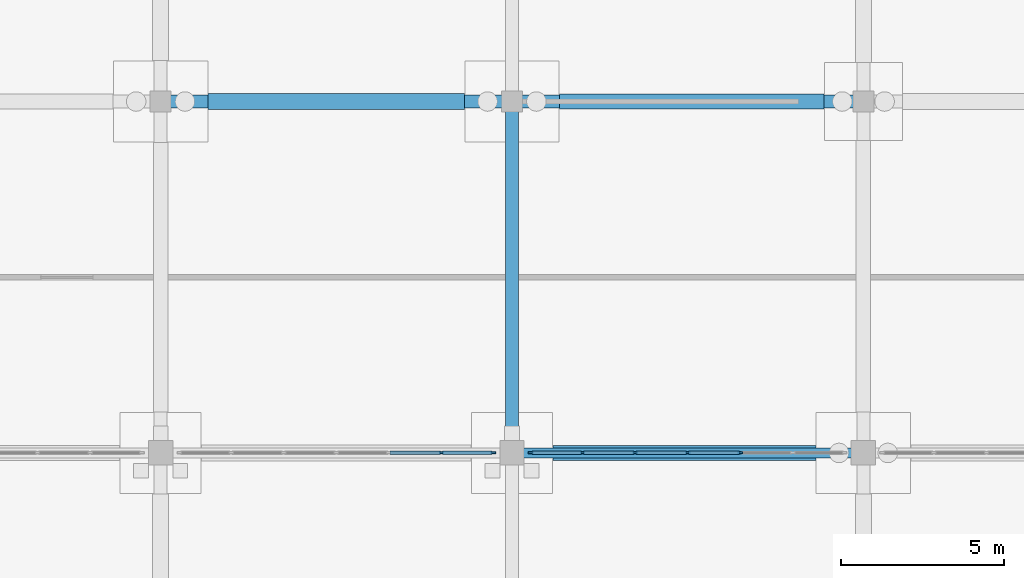
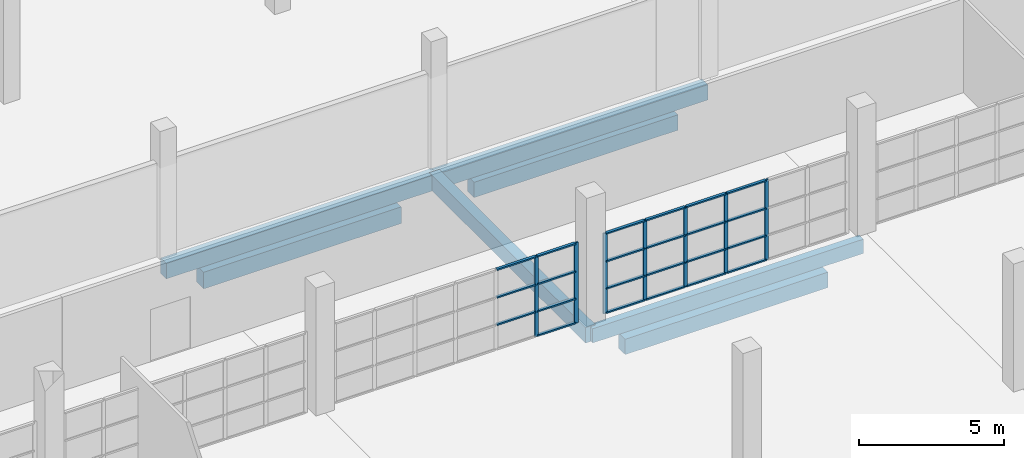
# One storey, part 57 of 138: 30 members, 7 beams, 2 elements without a shape of their own.
"""IFC4 building model written with IfcOpenShell, lengths in metres."""

from ifc_helpers import new_model, si_unit, direction, frame, origin, origin_2d, place, context, subcontext, project, spatial, rectangle, extrude, material, material_profile, profile_set, type_object, element, aggregate, save


model = new_model("IFC4")

# Units and contexts
model_context = context("Model", 3, precision=1e-05, world=origin(), true_north=direction((0.0, 1.0)))
body_context = subcontext(model_context, "Body", "Model", "MODEL_VIEW")
ifc_project = project(units=[si_unit("LENGTHUNIT", "METRE"), si_unit("AREAUNIT", "SQUARE_METRE"), si_unit("VOLUMEUNIT", "CUBIC_METRE"), si_unit("PLANEANGLEUNIT", "RADIAN"), si_unit("MASSUNIT", "GRAM", prefix="KILO")], contexts=[model_context])

# Site, building, storey
site_placement = place(None, origin())
site = spatial("IfcSite", under=ifc_project, at=site_placement, CompositionType="ELEMENT")
building_placement = place(site_placement, origin())
building = spatial("IfcBuilding", under=site, at=building_placement, Name="Zwinboog Wholesale Market", CompositionType="ELEMENT")
storey_placement = place(building_placement, origin())
storey = spatial("IfcBuildingStorey", under=building, at=storey_placement, Name="L00", CompositionType="ELEMENT", Elevation=0.0)

# Beams
ifc_material_1 = material(Name="Precast concrete C45/55", Category="concrete")
ifc_material_profile_1 = material_profile(ifc_material_1, rectangle(XDim=0.39990234375, YDim=0.64990234375, at=origin_2d()), Name="PC 400x650")
ifc_profile_set_1 = profile_set([ifc_material_profile_1], Name="Precast concrete C45/55")
beam_type_1 = type_object("IfcBeamType", Name="BT-05", PredefinedType="BEAM", material=ifc_profile_set_1)
for number, where, z_axis, x_axis, name in (
    (1, (108.0, 108.0, -0.675048828125), (1.0, 0.0, 0.0), (0.0, 1.0, 0.0), "BG-05 (BMG-L00-1080-1080-0161)"),
    (2, (118.800048828125, 108.0, -0.68994140625), (1.0, 0.0, 0.0), (0.0, 1.0, 0.0), "BG-05 (BMG-L00-1188-1080-0162)"),
    (3, (118.800048828125, 97.199951171875, -0.6669921875), (0.0, 1.0, 0.0), (-1.0, 0.0, 0.0), "BG-05 (BMG-L00-1188-0972-0326)"),
):
    element("IfcBeam", number, at=place(storey_placement, frame(where, z_axis=z_axis, x_axis=x_axis)), inside=storey, type_object=beam_type_1, Name=name, PredefinedType="BEAM", context=body_context, shape_type="SweptSolid", body=[
        extrude(rectangle(XDim=0.39990234375, YDim=0.64990234375, at=origin_2d()), origin(), (0.0, 0.0, 1.0), 10.800048828125),
    ])
ifc_material_profile_2 = material_profile(ifc_material_1, rectangle(XDim=0.300048828125, YDim=0.60009765625, at=origin_2d()), Name="PC 300x600")
ifc_profile_set_2 = profile_set([ifc_material_profile_2], Name="Precast concrete C45/55")
beam_type_2 = type_object("IfcBeamType", Name="BT-09", PredefinedType="SPANDREL", material=ifc_profile_set_2)
beam_1_placement = place(storey_placement, frame((118.800048828125, 97.199951171875, -0.6650390625), z_axis=(1.0, 0.0, 0.0), x_axis=(0.0, 1.0, 0.0)))
element("IfcBeam", 4, at=beam_1_placement, inside=storey, type_object=beam_type_2, Name="SP-02 (BMG-L00-1188-0972-0142)", PredefinedType="SPANDREL", context=body_context, shape_type="SweptSolid", body=[
    extrude(rectangle(XDim=0.300048828125, YDim=0.60009765625, at=origin_2d()), origin(), (0.0, 0.0, 1.0), 10.800048828125),
])
ifc_material_2 = material(Name="Concrete C35/45", Category="concrete")
ifc_material_profile_3 = material_profile(ifc_material_2, rectangle(XDim=0.5, YDim=0.699951171875, at=origin_2d()), Name="RC 500x700")
ifc_profile_set_3 = profile_set([ifc_material_profile_3], Name="Concrete C35/45")
beam_type_3 = type_object("IfcBeamType", Name="BT-12", PredefinedType="USERDEFINED", material=ifc_profile_set_3)
beam_2_placement = place(storey_placement, frame((109.455078125, 108.0, -1.550048828125), z_axis=(1.0, 0.0, 0.0), x_axis=(0.0, 1.0, 0.0)))
element("IfcBeam", 5, at=beam_2_placement, inside=storey, type_object=beam_type_3, Name="GB-01 (BM-GB-0097)", ObjectType="GROUND_BEAM", PredefinedType="USERDEFINED", context=body_context, shape_type="SweptSolid", body=[
    extrude(rectangle(XDim=0.5, YDim=0.699951171875, at=origin_2d()), origin(), (0.0, 0.0, 1.0), 7.889892578125),
])
ifc_material_profile_4 = material_profile(ifc_material_2, rectangle(XDim=0.449951171875, YDim=0.64990234375, at=origin_2d()), Name="RC 450x650")
ifc_profile_set_4 = profile_set([ifc_material_profile_4], Name="Concrete C35/45")
beam_type_4 = type_object("IfcBeamType", Name="BT-13", PredefinedType="USERDEFINED", material=ifc_profile_set_4)
beam_3_placement = place(storey_placement, frame((120.054931640625, 97.199951171875, -1.52490234375), z_axis=(1.0, 0.0, 0.0), x_axis=(0.0, 1.0, 0.0)))
element("IfcBeam", 6, at=beam_3_placement, inside=storey, type_object=beam_type_4, Name="GB-02 (BM-GB-0078)", ObjectType="GROUND_BEAM", PredefinedType="USERDEFINED", context=body_context, shape_type="SweptSolid", body=[
    extrude(rectangle(XDim=0.449951171875, YDim=0.64990234375, at=origin_2d()), origin(), (0.0, 0.0, 1.0), 8.090087890625),
])
beam_4_placement = place(storey_placement, frame((120.2548828125, 108.0, -1.52490234375), z_axis=(1.0, 0.0, 0.0), x_axis=(0.0, 1.0, 0.0)))
element("IfcBeam", 7, at=beam_4_placement, inside=storey, type_object=beam_type_4, Name="GB-02 (BM-GB-0098)", ObjectType="GROUND_BEAM", PredefinedType="USERDEFINED", context=body_context, shape_type="SweptSolid", body=[
    extrude(rectangle(XDim=0.449951171875, YDim=0.64990234375, at=origin_2d()), origin(), (0.0, 0.0, 1.0), 8.14013671875),
])

# Curtain wall, members
ifc_material_3 = material(Name="Aluminium thermally broken curtain wall", Category="aluminium")
curtain_wall_type = type_object("IfcCurtainWallType", Name="CWT-INT-STALL", PredefinedType="USERDEFINED", material=ifc_material_3)
curtain_wall_1_placement = place(storey_placement, origin())
curtain_wall_1 = element("IfcCurtainWall", 8, at=curtain_wall_1_placement, inside=storey, type_object=curtain_wall_type, Name="CW-07 (CW-STL-203)", ObjectType="STOREFRONT_GLAZING", PredefinedType="USERDEFINED")
ifc_material_4 = material(Name="Aluminium EN AW-6060", Category="aluminium")
ifc_material_profile_5 = material_profile(ifc_material_4, rectangle(XDim=0.06005859375, YDim=0.14990234375, at=origin_2d()), Name="AL 60x150")
ifc_profile_set_5 = profile_set([ifc_material_profile_5], Name="Aluminium EN AW-6060")
member_type_1 = type_object("IfcMemberType", Name="CWM-INT-60x120", PredefinedType="MULLION", material=ifc_profile_set_5)
member_1_placement = place(storey_placement, frame((116.63330078125, 97.199951171875, 0.0), z_axis=(0.0, 0.0, 1.0), x_axis=(0.0, 1.0, 0.0)))
member_1 = element("IfcMember", 9, at=member_1_placement, type_object=member_type_1, Name="CW-07 mullion 6", PredefinedType="MULLION", context=body_context, shape_type="SweptSolid", body=[
    extrude(rectangle(XDim=0.06005859375, YDim=0.14990234375, at=origin_2d()), origin(), (0.0, 0.0, 1.0), 3.39990234375),
])
member_2_placement = place(storey_placement, frame((118.219970703125, 97.199951171875, 0.0), z_axis=(0.0, 0.0, 1.0), x_axis=(0.0, 1.0, 0.0)))
member_2 = element("IfcMember", 10, at=member_2_placement, type_object=member_type_1, Name="CW-07 mullion 7", PredefinedType="MULLION", context=body_context, shape_type="SweptSolid", body=[
    extrude(rectangle(XDim=0.06005859375, YDim=0.14990234375, at=origin_2d()), origin(), (0.0, 0.0, 1.0), 3.39990234375),
])

curtain_wall_2_placement = place(storey_placement, origin())
curtain_wall_2 = element("IfcCurtainWall", 11, at=curtain_wall_2_placement, inside=storey, type_object=curtain_wall_type, Name="CW-07 (CW-STL-204)", ObjectType="STOREFRONT_GLAZING", PredefinedType="USERDEFINED")
member_3_placement = place(storey_placement, frame((119.3798828125, 97.199951171875, 0.0), z_axis=(0.0, 0.0, 1.0), x_axis=(0.0, 1.0, 0.0)))
member_3 = element("IfcMember", 12, at=member_3_placement, type_object=member_type_1, Name="CW-07 mullion 1", PredefinedType="MULLION", context=body_context, shape_type="SweptSolid", body=[
    extrude(rectangle(XDim=0.06005859375, YDim=0.14990234375, at=origin_2d()), origin(), (0.0, 0.0, 1.0), 3.39990234375),
])
member_4_placement = place(storey_placement, frame((120.966552734375, 97.199951171875, 0.0), z_axis=(0.0, 0.0, 1.0), x_axis=(0.0, 1.0, 0.0)))
member_4 = element("IfcMember", 13, at=member_4_placement, type_object=member_type_1, Name="CW-07 mullion 2", PredefinedType="MULLION", context=body_context, shape_type="SweptSolid", body=[
    extrude(rectangle(XDim=0.06005859375, YDim=0.14990234375, at=origin_2d()), origin(), (0.0, 0.0, 1.0), 3.39990234375),
])
member_5_placement = place(storey_placement, frame((122.583251953125, 97.199951171875, 0.0), z_axis=(0.0, 0.0, 1.0), x_axis=(0.0, 1.0, 0.0)))
member_5 = element("IfcMember", 14, at=member_5_placement, type_object=member_type_1, Name="CW-07 mullion 3", PredefinedType="MULLION", context=body_context, shape_type="SweptSolid", body=[
    extrude(rectangle(XDim=0.06005859375, YDim=0.14990234375, at=origin_2d()), origin(), (0.0, 0.0, 1.0), 3.39990234375),
])
member_6_placement = place(storey_placement, frame((124.199951171875, 97.199951171875, 0.0), z_axis=(0.0, 0.0, 1.0), x_axis=(0.0, 1.0, 0.0)))
member_6 = element("IfcMember", 15, at=member_6_placement, type_object=member_type_1, Name="CW-07 mullion 4", PredefinedType="MULLION", context=body_context, shape_type="SweptSolid", body=[
    extrude(rectangle(XDim=0.06005859375, YDim=0.14990234375, at=origin_2d()), origin(), (0.0, 0.0, 1.0), 3.39990234375),
])
member_7_placement = place(storey_placement, frame((125.816650390625, 97.199951171875, 0.0), z_axis=(0.0, 0.0, 1.0), x_axis=(0.0, 1.0, 0.0)))
member_7 = element("IfcMember", 16, at=member_7_placement, type_object=member_type_1, Name="CW-07 mullion 5", PredefinedType="MULLION", context=body_context, shape_type="SweptSolid", body=[
    extrude(rectangle(XDim=0.06005859375, YDim=0.14990234375, at=origin_2d()), origin(), (0.0, 0.0, 1.0), 3.39990234375),
])

# Member
ifc_material_profile_6 = material_profile(ifc_material_4, rectangle(XDim=0.110107421875, YDim=0.06005859375, at=origin_2d()), Name="AL 60x110")
ifc_profile_set_6 = profile_set([ifc_material_profile_6], Name="Aluminium EN AW-6060")
member_type_2 = type_object("IfcMemberType", Name="CWT-INT-60x100", PredefinedType="USERDEFINED", material=ifc_profile_set_6)
member_8_placement = place(storey_placement, frame((115.046630859375, 97.199951171875, 1.050048828125), z_axis=(1.0, 0.0, 0.0), x_axis=(0.0, 1.0, 0.0)))
member_8 = element("IfcMember", 17, at=member_8_placement, type_object=member_type_2, Name="CW-07 transom 5.2", ObjectType="TRANSOM", PredefinedType="USERDEFINED", context=body_context, shape_type="SweptSolid", body=[
    extrude(rectangle(XDim=0.110107421875, YDim=0.06005859375, at=origin_2d()), origin(), (0.0, 0.0, 1.0), 1.556640625),
])

member_9_placement = place(storey_placement, frame((115.046630859375, 97.199951171875, 2.199951171875), z_axis=(1.0, 0.0, 0.0), x_axis=(0.0, 1.0, 0.0)))
member_9 = element("IfcMember", 18, at=member_9_placement, type_object=member_type_2, Name="CW-07 transom 5.3", ObjectType="TRANSOM", PredefinedType="USERDEFINED", context=body_context, shape_type="SweptSolid", body=[
    extrude(rectangle(XDim=0.110107421875, YDim=0.06005859375, at=origin_2d()), origin(), (0.0, 0.0, 1.0), 1.556640625),
])

member_10_placement = place(storey_placement, frame((115.046630859375, 97.199951171875, 3.3701171875), z_axis=(1.0, 0.0, 0.0), x_axis=(0.0, 1.0, 0.0)))
member_10 = element("IfcMember", 19, at=member_10_placement, type_object=member_type_2, Name="CW-07 transom 5.4", ObjectType="TRANSOM", PredefinedType="USERDEFINED", context=body_context, shape_type="SweptSolid", body=[
    extrude(rectangle(XDim=0.110107421875, YDim=0.06005859375, at=origin_2d()), origin(), (0.0, 0.0, 1.0), 1.556640625),
])

member_11_placement = place(storey_placement, frame((116.663330078125, 97.199951171875, 0.030029296875), z_axis=(1.0, 0.0, 0.0), x_axis=(0.0, 1.0, 0.0)))
member_11 = element("IfcMember", 20, at=member_11_placement, type_object=member_type_2, Name="CW-07 transom 6.1", ObjectType="TRANSOM", PredefinedType="USERDEFINED", context=body_context, shape_type="SweptSolid", body=[
    extrude(rectangle(XDim=0.110107421875, YDim=0.06005859375, at=origin_2d()), origin(), (0.0, 0.0, 1.0), 1.526611328125),
])

member_12_placement = place(storey_placement, frame((116.663330078125, 97.199951171875, 1.050048828125), z_axis=(1.0, 0.0, 0.0), x_axis=(0.0, 1.0, 0.0)))
member_12 = element("IfcMember", 21, at=member_12_placement, type_object=member_type_2, Name="CW-07 transom 6.2", ObjectType="TRANSOM", PredefinedType="USERDEFINED", context=body_context, shape_type="SweptSolid", body=[
    extrude(rectangle(XDim=0.110107421875, YDim=0.06005859375, at=origin_2d()), origin(), (0.0, 0.0, 1.0), 1.526611328125),
])

member_13_placement = place(storey_placement, frame((116.663330078125, 97.199951171875, 2.199951171875), z_axis=(1.0, 0.0, 0.0), x_axis=(0.0, 1.0, 0.0)))
member_13 = element("IfcMember", 22, at=member_13_placement, type_object=member_type_2, Name="CW-07 transom 6.3", ObjectType="TRANSOM", PredefinedType="USERDEFINED", context=body_context, shape_type="SweptSolid", body=[
    extrude(rectangle(XDim=0.110107421875, YDim=0.06005859375, at=origin_2d()), origin(), (0.0, 0.0, 1.0), 1.526611328125),
])

member_14_placement = place(storey_placement, frame((116.663330078125, 97.199951171875, 3.3701171875), z_axis=(1.0, 0.0, 0.0), x_axis=(0.0, 1.0, 0.0)))
member_14 = element("IfcMember", 23, at=member_14_placement, type_object=member_type_2, Name="CW-07 transom 6.4", ObjectType="TRANSOM", PredefinedType="USERDEFINED", context=body_context, shape_type="SweptSolid", body=[
    extrude(rectangle(XDim=0.110107421875, YDim=0.06005859375, at=origin_2d()), origin(), (0.0, 0.0, 1.0), 1.526611328125),
])

aggregate(curtain_wall_1, [member_1, member_2, member_8, member_9, member_10, member_11, member_12, member_13, member_14])

member_15_placement = place(storey_placement, frame((119.409912109375, 97.199951171875, 0.030029296875), z_axis=(1.0, 0.0, 0.0), x_axis=(0.0, 1.0, 0.0)))
member_15 = element("IfcMember", 24, at=member_15_placement, type_object=member_type_2, Name="CW-07 transom 1.1", ObjectType="TRANSOM", PredefinedType="USERDEFINED", context=body_context, shape_type="SweptSolid", body=[
    extrude(rectangle(XDim=0.110107421875, YDim=0.06005859375, at=origin_2d()), origin(), (0.0, 0.0, 1.0), 1.52685546875),
])

member_16_placement = place(storey_placement, frame((119.409912109375, 97.199951171875, 1.050048828125), z_axis=(1.0, 0.0, 0.0), x_axis=(0.0, 1.0, 0.0)))
member_16 = element("IfcMember", 25, at=member_16_placement, type_object=member_type_2, Name="CW-07 transom 1.2", ObjectType="TRANSOM", PredefinedType="USERDEFINED", context=body_context, shape_type="SweptSolid", body=[
    extrude(rectangle(XDim=0.110107421875, YDim=0.06005859375, at=origin_2d()), origin(), (0.0, 0.0, 1.0), 1.52685546875),
])

member_17_placement = place(storey_placement, frame((119.409912109375, 97.199951171875, 2.199951171875), z_axis=(1.0, 0.0, 0.0), x_axis=(0.0, 1.0, 0.0)))
member_17 = element("IfcMember", 26, at=member_17_placement, type_object=member_type_2, Name="CW-07 transom 1.3", ObjectType="TRANSOM", PredefinedType="USERDEFINED", context=body_context, shape_type="SweptSolid", body=[
    extrude(rectangle(XDim=0.110107421875, YDim=0.06005859375, at=origin_2d()), origin(), (0.0, 0.0, 1.0), 1.52685546875),
])

member_18_placement = place(storey_placement, frame((119.409912109375, 97.199951171875, 3.3701171875), z_axis=(1.0, 0.0, 0.0), x_axis=(0.0, 1.0, 0.0)))
member_18 = element("IfcMember", 27, at=member_18_placement, type_object=member_type_2, Name="CW-07 transom 1.4", ObjectType="TRANSOM", PredefinedType="USERDEFINED", context=body_context, shape_type="SweptSolid", body=[
    extrude(rectangle(XDim=0.110107421875, YDim=0.06005859375, at=origin_2d()), origin(), (0.0, 0.0, 1.0), 1.52685546875),
])

member_19_placement = place(storey_placement, frame((120.99658203125, 97.199951171875, 0.030029296875), z_axis=(1.0, 0.0, 0.0), x_axis=(0.0, 1.0, 0.0)))
member_19 = element("IfcMember", 28, at=member_19_placement, type_object=member_type_2, Name="CW-07 transom 2.1", ObjectType="TRANSOM", PredefinedType="USERDEFINED", context=body_context, shape_type="SweptSolid", body=[
    extrude(rectangle(XDim=0.110107421875, YDim=0.06005859375, at=origin_2d()), origin(), (0.0, 0.0, 1.0), 1.556640625),
])

member_20_placement = place(storey_placement, frame((120.99658203125, 97.199951171875, 1.050048828125), z_axis=(1.0, 0.0, 0.0), x_axis=(0.0, 1.0, 0.0)))
member_20 = element("IfcMember", 29, at=member_20_placement, type_object=member_type_2, Name="CW-07 transom 2.2", ObjectType="TRANSOM", PredefinedType="USERDEFINED", context=body_context, shape_type="SweptSolid", body=[
    extrude(rectangle(XDim=0.110107421875, YDim=0.06005859375, at=origin_2d()), origin(), (0.0, 0.0, 1.0), 1.556640625),
])

member_21_placement = place(storey_placement, frame((120.99658203125, 97.199951171875, 2.199951171875), z_axis=(1.0, 0.0, 0.0), x_axis=(0.0, 1.0, 0.0)))
member_21 = element("IfcMember", 30, at=member_21_placement, type_object=member_type_2, Name="CW-07 transom 2.3", ObjectType="TRANSOM", PredefinedType="USERDEFINED", context=body_context, shape_type="SweptSolid", body=[
    extrude(rectangle(XDim=0.110107421875, YDim=0.06005859375, at=origin_2d()), origin(), (0.0, 0.0, 1.0), 1.556640625),
])

member_22_placement = place(storey_placement, frame((120.99658203125, 97.199951171875, 3.3701171875), z_axis=(1.0, 0.0, 0.0), x_axis=(0.0, 1.0, 0.0)))
member_22 = element("IfcMember", 31, at=member_22_placement, type_object=member_type_2, Name="CW-07 transom 2.4", ObjectType="TRANSOM", PredefinedType="USERDEFINED", context=body_context, shape_type="SweptSolid", body=[
    extrude(rectangle(XDim=0.110107421875, YDim=0.06005859375, at=origin_2d()), origin(), (0.0, 0.0, 1.0), 1.556640625),
])

member_23_placement = place(storey_placement, frame((122.61328125, 97.199951171875, 0.030029296875), z_axis=(1.0, 0.0, 0.0), x_axis=(0.0, 1.0, 0.0)))
member_23 = element("IfcMember", 32, at=member_23_placement, type_object=member_type_2, Name="CW-07 transom 3.1", ObjectType="TRANSOM", PredefinedType="USERDEFINED", context=body_context, shape_type="SweptSolid", body=[
    extrude(rectangle(XDim=0.110107421875, YDim=0.06005859375, at=origin_2d()), origin(), (0.0, 0.0, 1.0), 1.556640625),
])

member_24_placement = place(storey_placement, frame((122.61328125, 97.199951171875, 1.050048828125), z_axis=(1.0, 0.0, 0.0), x_axis=(0.0, 1.0, 0.0)))
member_24 = element("IfcMember", 33, at=member_24_placement, type_object=member_type_2, Name="CW-07 transom 3.2", ObjectType="TRANSOM", PredefinedType="USERDEFINED", context=body_context, shape_type="SweptSolid", body=[
    extrude(rectangle(XDim=0.110107421875, YDim=0.06005859375, at=origin_2d()), origin(), (0.0, 0.0, 1.0), 1.556640625),
])

member_25_placement = place(storey_placement, frame((122.61328125, 97.199951171875, 2.199951171875), z_axis=(1.0, 0.0, 0.0), x_axis=(0.0, 1.0, 0.0)))
member_25 = element("IfcMember", 34, at=member_25_placement, type_object=member_type_2, Name="CW-07 transom 3.3", ObjectType="TRANSOM", PredefinedType="USERDEFINED", context=body_context, shape_type="SweptSolid", body=[
    extrude(rectangle(XDim=0.110107421875, YDim=0.06005859375, at=origin_2d()), origin(), (0.0, 0.0, 1.0), 1.556640625),
])

member_26_placement = place(storey_placement, frame((122.61328125, 97.199951171875, 3.3701171875), z_axis=(1.0, 0.0, 0.0), x_axis=(0.0, 1.0, 0.0)))
member_26 = element("IfcMember", 35, at=member_26_placement, type_object=member_type_2, Name="CW-07 transom 3.4", ObjectType="TRANSOM", PredefinedType="USERDEFINED", context=body_context, shape_type="SweptSolid", body=[
    extrude(rectangle(XDim=0.110107421875, YDim=0.06005859375, at=origin_2d()), origin(), (0.0, 0.0, 1.0), 1.556640625),
])

member_27_placement = place(storey_placement, frame((124.22998046875, 97.199951171875, 0.030029296875), z_axis=(1.0, 0.0, 0.0), x_axis=(0.0, 1.0, 0.0)))
member_27 = element("IfcMember", 36, at=member_27_placement, type_object=member_type_2, Name="CW-07 transom 4.1", ObjectType="TRANSOM", PredefinedType="USERDEFINED", context=body_context, shape_type="SweptSolid", body=[
    extrude(rectangle(XDim=0.110107421875, YDim=0.06005859375, at=origin_2d()), origin(), (0.0, 0.0, 1.0), 1.556640625),
])

member_28_placement = place(storey_placement, frame((124.22998046875, 97.199951171875, 1.050048828125), z_axis=(1.0, 0.0, 0.0), x_axis=(0.0, 1.0, 0.0)))
member_28 = element("IfcMember", 37, at=member_28_placement, type_object=member_type_2, Name="CW-07 transom 4.2", ObjectType="TRANSOM", PredefinedType="USERDEFINED", context=body_context, shape_type="SweptSolid", body=[
    extrude(rectangle(XDim=0.110107421875, YDim=0.06005859375, at=origin_2d()), origin(), (0.0, 0.0, 1.0), 1.556640625),
])

member_29_placement = place(storey_placement, frame((124.22998046875, 97.199951171875, 2.199951171875), z_axis=(1.0, 0.0, 0.0), x_axis=(0.0, 1.0, 0.0)))
member_29 = element("IfcMember", 38, at=member_29_placement, type_object=member_type_2, Name="CW-07 transom 4.3", ObjectType="TRANSOM", PredefinedType="USERDEFINED", context=body_context, shape_type="SweptSolid", body=[
    extrude(rectangle(XDim=0.110107421875, YDim=0.06005859375, at=origin_2d()), origin(), (0.0, 0.0, 1.0), 1.556640625),
])

member_30_placement = place(storey_placement, frame((124.22998046875, 97.199951171875, 3.3701171875), z_axis=(1.0, 0.0, 0.0), x_axis=(0.0, 1.0, 0.0)))
member_30 = element("IfcMember", 39, at=member_30_placement, type_object=member_type_2, Name="CW-07 transom 4.4", ObjectType="TRANSOM", PredefinedType="USERDEFINED", context=body_context, shape_type="SweptSolid", body=[
    extrude(rectangle(XDim=0.110107421875, YDim=0.06005859375, at=origin_2d()), origin(), (0.0, 0.0, 1.0), 1.556640625),
])

aggregate(curtain_wall_2, [member_3, member_4, member_5, member_6, member_7, member_15, member_16, member_17, member_18, member_19, member_20, member_21, member_22, member_23, member_24, member_25, member_26, member_27, member_28, member_29, member_30])

save(model, "model.ifc")
